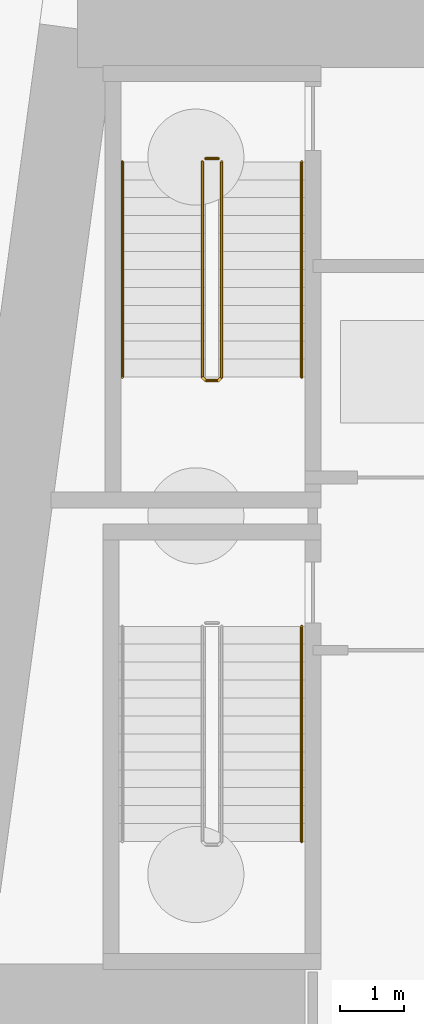
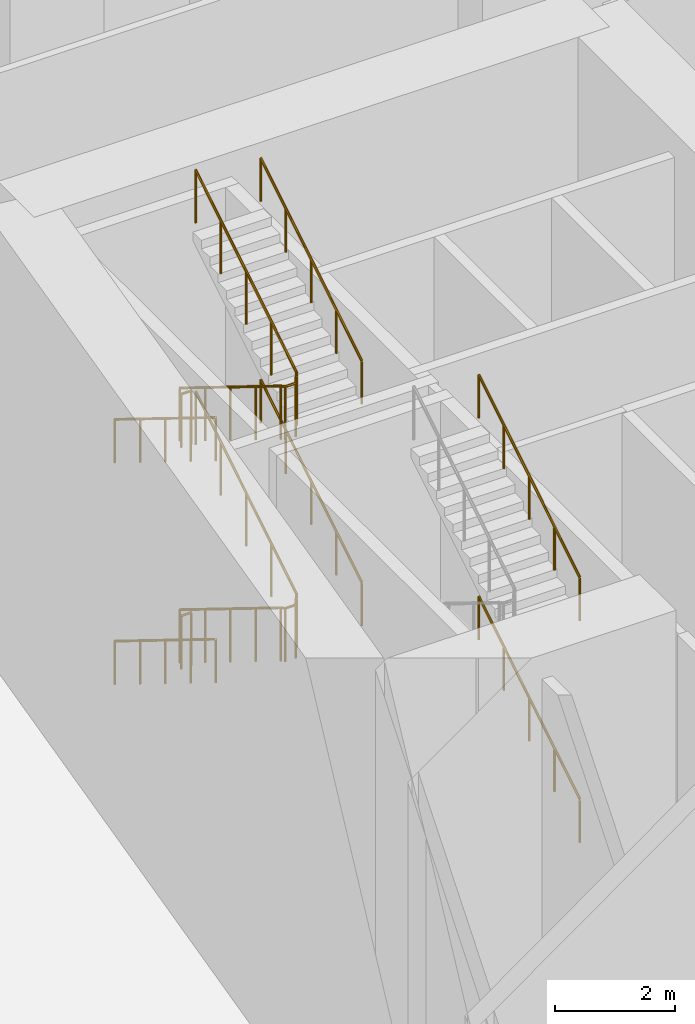
# One storey, part 61 of 72: 10 railings.
"""IFC4 building model written with IfcOpenShell, lengths in metres."""

from ifc_helpers import new_model, si_unit, direction, frame, origin, origin_2d, place, context, subcontext, project, spatial, circle, extrude, material, type_object, element, save


model = new_model("IFC4")

# Units and contexts
model_context = context("Model", 3, precision=1e-05, world=origin(), true_north=direction((0.0, 1.0)))
body_context = subcontext(model_context, "Body", "Model", "MODEL_VIEW")
ifc_project = project(units=[si_unit("LENGTHUNIT", "METRE"), si_unit("AREAUNIT", "SQUARE_METRE"), si_unit("VOLUMEUNIT", "CUBIC_METRE"), si_unit("PLANEANGLEUNIT", "RADIAN"), si_unit("MASSUNIT", "GRAM", prefix="KILO")], contexts=[model_context])

# Site, building, storey
site_placement = place(None, origin())
site = spatial("IfcSite", under=ifc_project, at=site_placement, CompositionType="ELEMENT")
building_placement = place(site_placement, origin())
building = spatial("IfcBuilding", under=site, at=building_placement, Name="Candeia Pilgrim Tower and Theatre", CompositionType="ELEMENT")
storey_placement = place(building_placement, origin())
storey = spatial("IfcBuildingStorey", under=building, at=storey_placement, Name="L00", CompositionType="ELEMENT", Elevation=0.0)

# Railings
ifc_material_1 = material(Name="Stainless steel balustrade", Category="steel")
railing_type_1 = type_object("IfcRailingType", Name="RL-GUARD-1100", PredefinedType="GUARDRAIL", material=ifc_material_1)
railing_1_placement = place(storey_placement, frame((91.10205078125, 129.72509765625, 0.173095703125)))
element("IfcRailing", 1, at=railing_1_placement, inside=storey, type_object=railing_type_1, Name="L00 ST2 stair guard 1", PredefinedType="GUARDRAIL", context=body_context, shape_type="SweptSolid", body=[
    extrude(circle(Radius=0.02392578125, at=origin_2d()), frame((0.0, 0.0, 1.076171875), z_axis=(0.0, -0.850623216509, 0.525775754039), x_axis=(1.0, 0.0, 0.0)), (0.0, 0.0, 1.0), 3.9501953125),
    extrude(circle(Radius=0.02392578125, at=origin_2d()), frame((0.0, -3.360107421875, 3.15283203125), z_axis=(0.707106781187, -0.707106781187, 0.0), x_axis=(0.707106781187, 0.707106781187, 0.0)), (0.0, 0.0, 1.0), 0.07080078125),
    extrude(circle(Radius=0.02392578125, at=origin_2d()), frame((0.050048828125, -3.41015625, 3.15283203125), z_axis=(1.0, 0.0, 0.0), x_axis=(0.0, 1.0, 0.0)), (0.0, 0.0, 1.0), 0.199951171875),
    extrude(circle(Radius=0.02392578125, at=origin_2d()), frame((0.25, -3.41015625, 3.15283203125), z_axis=(0.267629722418, 0.267629722418, 0.925607186314), x_axis=(-0.707106781187, 0.707106781187, 0.0)), (0.0, 0.0, 1.0), 0.18701171875),
    extrude(circle(Radius=0.02392578125, at=origin_2d()), frame((0.300048828125, -3.360107421875, 3.326171875), z_axis=(0.0, 0.850623216509, 0.525775754039), x_axis=(-1.0, 0.0, 0.0)), (0.0, 0.0, 1.0), 3.9501953125),
    extrude(circle(Radius=0.02099609375, at=origin_2d()), origin(), (0.0, 0.0, 1.0), 1.052001953125),
    extrude(circle(Radius=0.02099609375, at=origin_2d()), frame((0.0, -0.840087890625, 0.519287109375)), (0.0, 0.0, 1.0), 1.052001953125),
    extrude(circle(Radius=0.02099609375, at=origin_2d()), frame((0.0, -1.68017578125, 1.03857421875)), (0.0, 0.0, 1.0), 1.052001953125),
    extrude(circle(Radius=0.02099609375, at=origin_2d()), frame((0.0, -2.52001953125, 1.5576171875)), (0.0, 0.0, 1.0), 1.052001953125),
    extrude(circle(Radius=0.02099609375, at=origin_2d()), frame((0.0, -3.360107421875, 2.076904296875)), (0.0, 0.0, 1.0), 1.052001953125),
    extrude(circle(Radius=0.02099609375, at=origin_2d()), frame((0.050048828125, -3.41015625, 2.076904296875)), (0.0, 0.0, 1.0), 1.052001953125),
    extrude(circle(Radius=0.02099609375, at=origin_2d()), frame((0.25, -3.41015625, 2.076904296875)), (0.0, 0.0, 1.0), 1.052001953125),
    extrude(circle(Radius=0.02099609375, at=origin_2d()), frame((0.300048828125, -3.360107421875, 2.25)), (0.0, 0.0, 1.0), 1.052001953125),
    extrude(circle(Radius=0.02099609375, at=origin_2d()), frame((0.300048828125, -2.52001953125, 2.769287109375)), (0.0, 0.0, 1.0), 1.052001953125),
    extrude(circle(Radius=0.02099609375, at=origin_2d()), frame((0.300048828125, -1.68017578125, 3.28857421875)), (0.0, 0.0, 1.0), 1.052001953125),
    extrude(circle(Radius=0.02099609375, at=origin_2d()), frame((0.300048828125, -0.840087890625, 3.8076171875)), (0.0, 0.0, 1.0), 1.052001953125),
    extrude(circle(Radius=0.02099609375, at=origin_2d()), frame((0.300048828125, 0.0, 4.326904296875)), (0.0, 0.0, 1.0), 1.052001953125),
])
railing_2_placement = place(storey_placement, frame((91.152099609375, 129.77490234375, 4.5)))
element("IfcRailing", 2, at=railing_2_placement, inside=storey, type_object=railing_type_1, Name="L00 ST2 stair guard 2", PredefinedType="GUARDRAIL", context=body_context, shape_type="SweptSolid", body=[
    extrude(circle(Radius=0.02392578125, at=origin_2d()), frame((0.0, 0.0, 1.076171875), z_axis=(1.0, 0.0, 0.0), x_axis=(0.0, 1.0, 0.0)), (0.0, 0.0, 1.0), 0.199951171875),
    extrude(circle(Radius=0.02099609375, at=origin_2d()), origin(), (0.0, 0.0, 1.0), 1.052001953125),
    extrude(circle(Radius=0.02099609375, at=origin_2d()), frame((0.199951171875, 0.0, 0.0)), (0.0, 0.0, 1.0), 1.052001953125),
])
railing_3_placement = place(storey_placement, frame((91.10205078125, 129.72509765625, 4.673095703125)))
element("IfcRailing", 3, at=railing_3_placement, inside=storey, type_object=railing_type_1, Name="L00 ST2 stair guard 3", PredefinedType="GUARDRAIL", context=body_context, shape_type="SweptSolid", body=[
    extrude(circle(Radius=0.02392578125, at=origin_2d()), frame((0.0, 0.0, 1.076171875), z_axis=(0.0, -0.850623216509, 0.525775754039), x_axis=(1.0, 0.0, 0.0)), (0.0, 0.0, 1.0), 3.9501953125),
    extrude(circle(Radius=0.02392578125, at=origin_2d()), frame((0.0, -3.360107421875, 3.15283203125), z_axis=(0.707106781187, -0.707106781187, 0.0), x_axis=(0.707106781187, 0.707106781187, 0.0)), (0.0, 0.0, 1.0), 0.07080078125),
    extrude(circle(Radius=0.02392578125, at=origin_2d()), frame((0.050048828125, -3.41015625, 3.15283203125), z_axis=(1.0, 0.0, 0.0), x_axis=(0.0, 1.0, 0.0)), (0.0, 0.0, 1.0), 0.199951171875),
    extrude(circle(Radius=0.02392578125, at=origin_2d()), frame((0.25, -3.41015625, 3.15283203125), z_axis=(0.267629722418, 0.267629722418, 0.925607186314), x_axis=(-0.707106781187, 0.707106781187, 0.0)), (0.0, 0.0, 1.0), 0.18701171875),
    extrude(circle(Radius=0.02392578125, at=origin_2d()), frame((0.300048828125, -3.360107421875, 3.326171875), z_axis=(0.0, 0.850623216509, 0.525775754039), x_axis=(-1.0, 0.0, 0.0)), (0.0, 0.0, 1.0), 3.9501953125),
    extrude(circle(Radius=0.02099609375, at=origin_2d()), origin(), (0.0, 0.0, 1.0), 1.052001953125),
    extrude(circle(Radius=0.02099609375, at=origin_2d()), frame((0.0, -0.840087890625, 0.519287109375)), (0.0, 0.0, 1.0), 1.052001953125),
    extrude(circle(Radius=0.02099609375, at=origin_2d()), frame((0.0, -1.68017578125, 1.03857421875)), (0.0, 0.0, 1.0), 1.052001953125),
    extrude(circle(Radius=0.02099609375, at=origin_2d()), frame((0.0, -2.52001953125, 1.5576171875)), (0.0, 0.0, 1.0), 1.052001953125),
    extrude(circle(Radius=0.02099609375, at=origin_2d()), frame((0.0, -3.360107421875, 2.076904296875)), (0.0, 0.0, 1.0), 1.052001953125),
    extrude(circle(Radius=0.02099609375, at=origin_2d()), frame((0.050048828125, -3.41015625, 2.076904296875)), (0.0, 0.0, 1.0), 1.052001953125),
    extrude(circle(Radius=0.02099609375, at=origin_2d()), frame((0.25, -3.41015625, 2.076904296875)), (0.0, 0.0, 1.0), 1.052001953125),
    extrude(circle(Radius=0.02099609375, at=origin_2d()), frame((0.300048828125, -3.360107421875, 2.25)), (0.0, 0.0, 1.0), 1.052001953125),
    extrude(circle(Radius=0.02099609375, at=origin_2d()), frame((0.300048828125, -2.52001953125, 2.769287109375)), (0.0, 0.0, 1.0), 1.052001953125),
    extrude(circle(Radius=0.02099609375, at=origin_2d()), frame((0.300048828125, -1.68017578125, 3.28857421875)), (0.0, 0.0, 1.0), 1.052001953125),
    extrude(circle(Radius=0.02099609375, at=origin_2d()), frame((0.300048828125, -0.840087890625, 3.8076171875)), (0.0, 0.0, 1.0), 1.052001953125),
    extrude(circle(Radius=0.02099609375, at=origin_2d()), frame((0.300048828125, 0.0, 4.326904296875)), (0.0, 0.0, 1.0), 1.052001953125),
])
railing_4_placement = place(storey_placement, frame((91.152099609375, 129.77490234375, 0.0)))
element("IfcRailing", 4, at=railing_4_placement, inside=storey, type_object=railing_type_1, Name="L00 ST2 stair guard 4", PredefinedType="GUARDRAIL", context=body_context, shape_type="SweptSolid", body=[
    extrude(circle(Radius=0.02392578125, at=origin_2d()), frame((0.0, 0.0, 1.076171875), z_axis=(1.0, 0.0, 0.0), x_axis=(0.0, 1.0, 0.0)), (0.0, 0.0, 1.0), 0.199951171875),
    extrude(circle(Radius=0.02099609375, at=origin_2d()), origin(), (0.0, 0.0, 1.0), 1.052001953125),
    extrude(circle(Radius=0.02099609375, at=origin_2d()), frame((0.199951171875, 0.0, 0.0)), (0.0, 0.0, 1.0), 1.052001953125),
])
ifc_material_2 = material(Name="Stainless steel handrail", Category="steel")
railing_type_2 = type_object("IfcRailingType", Name="RL-HANDRAIL-900", PredefinedType="HANDRAIL", material=ifc_material_2)
for number, where, name in (
    (5, (92.652099609375, 119.114990234375, 2.423095703125), "L00 ST1 stair handrail 2"),
    (6, (92.652099609375, 119.114990234375, 6.923095703125), "L00 ST1 stair handrail 4"),
):
    element("IfcRailing", number, at=place(storey_placement, frame(where)), inside=storey, type_object=railing_type_2, Name=name, PredefinedType="HANDRAIL", context=body_context, shape_type="SweptSolid", body=[
        extrude(circle(Radius=0.02392578125, at=origin_2d()), frame((0.0, 0.0, 0.8759765625), z_axis=(0.0, 0.850623216509, 0.525775754039), x_axis=(-1.0, 0.0, 0.0)), (0.0, 0.0, 1.0), 3.9501953125),
        extrude(circle(Radius=0.02099609375, at=origin_2d()), origin(), (0.0, 0.0, 1.0), 0.851806640625),
        extrude(circle(Radius=0.02099609375, at=origin_2d()), frame((0.0, 0.840087890625, 0.519287109375)), (0.0, 0.0, 1.0), 0.851806640625),
        extrude(circle(Radius=0.02099609375, at=origin_2d()), frame((0.0, 1.68017578125, 1.03857421875)), (0.0, 0.0, 1.0), 0.851806640625),
        extrude(circle(Radius=0.02099609375, at=origin_2d()), frame((0.0, 2.52001953125, 1.5576171875)), (0.0, 0.0, 1.0), 0.851806640625),
        extrude(circle(Radius=0.02099609375, at=origin_2d()), frame((0.0, 3.360107421875, 2.076904296875)), (0.0, 0.0, 1.0), 0.851806640625),
    ])
railing_5_placement = place(storey_placement, frame((89.85205078125, 129.72509765625, 0.173095703125)))
element("IfcRailing", 7, at=railing_5_placement, inside=storey, type_object=railing_type_2, Name="L00 ST2 stair handrail 1", PredefinedType="HANDRAIL", context=body_context, shape_type="SweptSolid", body=[
    extrude(circle(Radius=0.02392578125, at=origin_2d()), frame((0.0, 0.0, 0.8759765625), z_axis=(0.0, -0.850623216509, 0.525775754039), x_axis=(1.0, 0.0, 0.0)), (0.0, 0.0, 1.0), 3.9501953125),
    extrude(circle(Radius=0.02099609375, at=origin_2d()), origin(), (0.0, 0.0, 1.0), 0.851806640625),
    extrude(circle(Radius=0.02099609375, at=origin_2d()), frame((0.0, -0.840087890625, 0.519287109375)), (0.0, 0.0, 1.0), 0.851806640625),
    extrude(circle(Radius=0.02099609375, at=origin_2d()), frame((0.0, -1.68017578125, 1.03857421875)), (0.0, 0.0, 1.0), 0.851806640625),
    extrude(circle(Radius=0.02099609375, at=origin_2d()), frame((0.0, -2.52001953125, 1.5576171875)), (0.0, 0.0, 1.0), 0.851806640625),
    extrude(circle(Radius=0.02099609375, at=origin_2d()), frame((0.0, -3.360107421875, 2.076904296875)), (0.0, 0.0, 1.0), 0.851806640625),
])
railing_6_placement = place(storey_placement, frame((92.652099609375, 126.364990234375, 2.423095703125)))
element("IfcRailing", 8, at=railing_6_placement, inside=storey, type_object=railing_type_2, Name="L00 ST2 stair handrail 2", PredefinedType="HANDRAIL", context=body_context, shape_type="SweptSolid", body=[
    extrude(circle(Radius=0.02392578125, at=origin_2d()), frame((0.0, 0.0, 0.8759765625), z_axis=(0.0, 0.850623216509, 0.525775754039), x_axis=(-1.0, 0.0, 0.0)), (0.0, 0.0, 1.0), 3.9501953125),
    extrude(circle(Radius=0.02099609375, at=origin_2d()), origin(), (0.0, 0.0, 1.0), 0.851806640625),
    extrude(circle(Radius=0.02099609375, at=origin_2d()), frame((0.0, 0.840087890625, 0.519287109375)), (0.0, 0.0, 1.0), 0.851806640625),
    extrude(circle(Radius=0.02099609375, at=origin_2d()), frame((0.0, 1.68017578125, 1.03857421875)), (0.0, 0.0, 1.0), 0.851806640625),
    extrude(circle(Radius=0.02099609375, at=origin_2d()), frame((0.0, 2.52001953125, 1.5576171875)), (0.0, 0.0, 1.0), 0.851806640625),
    extrude(circle(Radius=0.02099609375, at=origin_2d()), frame((0.0, 3.360107421875, 2.076904296875)), (0.0, 0.0, 1.0), 0.851806640625),
])
railing_7_placement = place(storey_placement, frame((89.85205078125, 129.72509765625, 4.673095703125)))
element("IfcRailing", 9, at=railing_7_placement, inside=storey, type_object=railing_type_2, Name="L00 ST2 stair handrail 3", PredefinedType="HANDRAIL", context=body_context, shape_type="SweptSolid", body=[
    extrude(circle(Radius=0.02392578125, at=origin_2d()), frame((0.0, 0.0, 0.8759765625), z_axis=(0.0, -0.850623216509, 0.525775754039), x_axis=(1.0, 0.0, 0.0)), (0.0, 0.0, 1.0), 3.9501953125),
    extrude(circle(Radius=0.02099609375, at=origin_2d()), origin(), (0.0, 0.0, 1.0), 0.851806640625),
    extrude(circle(Radius=0.02099609375, at=origin_2d()), frame((0.0, -0.840087890625, 0.519287109375)), (0.0, 0.0, 1.0), 0.851806640625),
    extrude(circle(Radius=0.02099609375, at=origin_2d()), frame((0.0, -1.68017578125, 1.03857421875)), (0.0, 0.0, 1.0), 0.851806640625),
    extrude(circle(Radius=0.02099609375, at=origin_2d()), frame((0.0, -2.52001953125, 1.5576171875)), (0.0, 0.0, 1.0), 0.851806640625),
    extrude(circle(Radius=0.02099609375, at=origin_2d()), frame((0.0, -3.360107421875, 2.076904296875)), (0.0, 0.0, 1.0), 0.851806640625),
])
railing_8_placement = place(storey_placement, frame((92.652099609375, 126.364990234375, 6.923095703125)))
element("IfcRailing", 10, at=railing_8_placement, inside=storey, type_object=railing_type_2, Name="L00 ST2 stair handrail 4", PredefinedType="HANDRAIL", context=body_context, shape_type="SweptSolid", body=[
    extrude(circle(Radius=0.02392578125, at=origin_2d()), frame((0.0, 0.0, 0.8759765625), z_axis=(0.0, 0.850623216509, 0.525775754039), x_axis=(-1.0, 0.0, 0.0)), (0.0, 0.0, 1.0), 3.9501953125),
    extrude(circle(Radius=0.02099609375, at=origin_2d()), origin(), (0.0, 0.0, 1.0), 0.851806640625),
    extrude(circle(Radius=0.02099609375, at=origin_2d()), frame((0.0, 0.840087890625, 0.519287109375)), (0.0, 0.0, 1.0), 0.851806640625),
    extrude(circle(Radius=0.02099609375, at=origin_2d()), frame((0.0, 1.68017578125, 1.03857421875)), (0.0, 0.0, 1.0), 0.851806640625),
    extrude(circle(Radius=0.02099609375, at=origin_2d()), frame((0.0, 2.52001953125, 1.5576171875)), (0.0, 0.0, 1.0), 0.851806640625),
    extrude(circle(Radius=0.02099609375, at=origin_2d()), frame((0.0, 3.360107421875, 2.076904296875)), (0.0, 0.0, 1.0), 0.851806640625),
])

save(model, "model.ifc")
